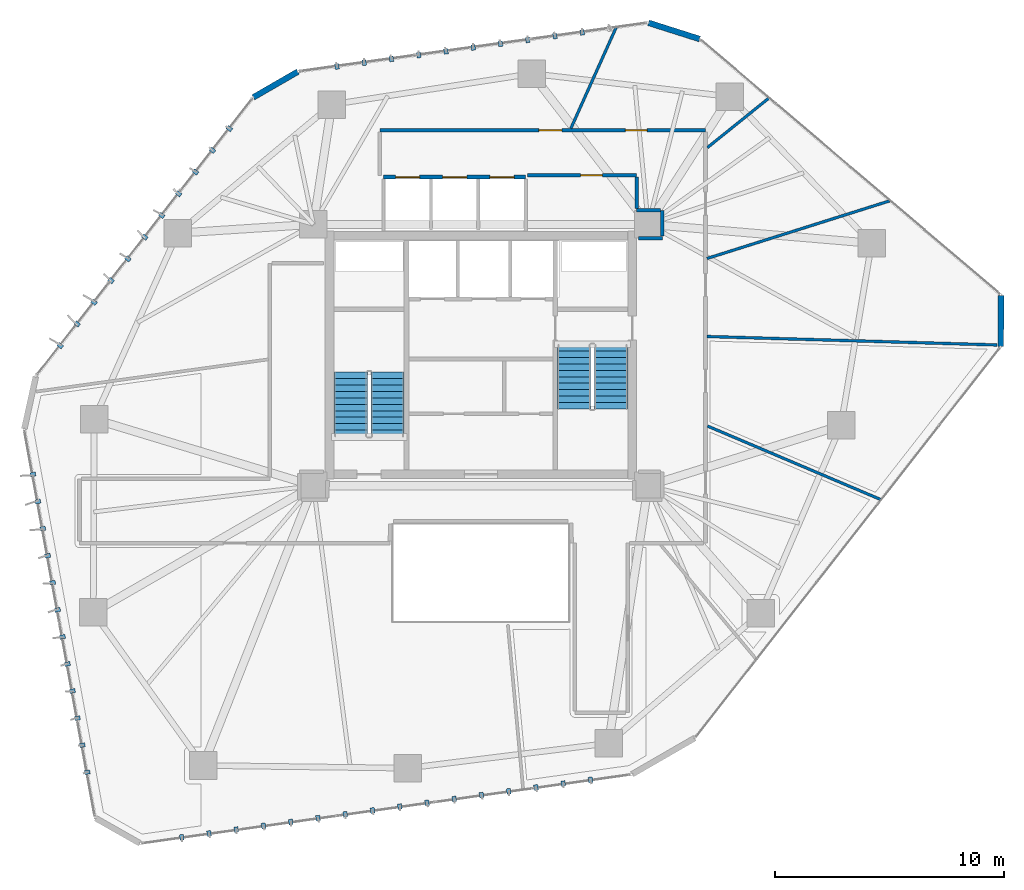
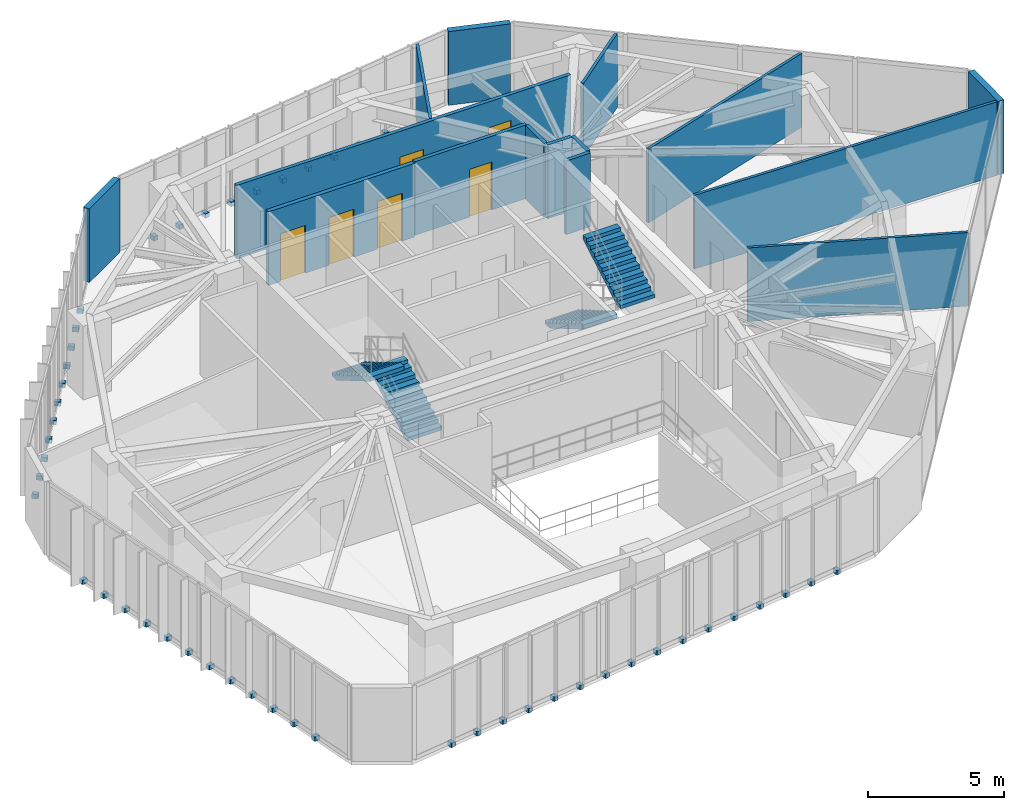
# One storey, part 20 of 24: 49 discrete accessories, 15 walls, 6 doors, 4 stair flights, 6 openings, 2 elements without a shape of their own.
"""IFC4 building model written with IfcOpenShell, lengths in metres."""

from ifc_helpers import new_model, si_unit, direction, frame, frame_2d, origin, origin_2d, place, context, subcontext, project, spatial, polyline, rectangle, outline, extrude, source, transform, mapped, material, layer, layer_set, type_object, type_shapes, element, fill, aggregate, save


model = new_model("IFC4")

# Units and contexts
model_context = context("Model", 3, precision=1e-05, world=origin(), true_north=direction((0.0, 1.0)))
body_context = subcontext(model_context, "Body", "Model", "MODEL_VIEW")
ifc_project = project(units=[si_unit("LENGTHUNIT", "METRE"), si_unit("AREAUNIT", "SQUARE_METRE"), si_unit("VOLUMEUNIT", "CUBIC_METRE"), si_unit("PLANEANGLEUNIT", "RADIAN"), si_unit("MASSUNIT", "GRAM", prefix="KILO")], contexts=[model_context])

# Site, building, storey
site_placement = place(None, origin())
site = spatial("IfcSite", under=ifc_project, at=site_placement, CompositionType="ELEMENT")
building_placement = place(site_placement, origin())
building = spatial("IfcBuilding", under=site, at=building_placement, Name="Talar Marvaseh", CompositionType="ELEMENT")
storey_placement = place(building_placement, frame((0.0, 0.0, 114.60009765625)))
storey = spatial("IfcBuildingStorey", under=building, at=storey_placement, Name="L29", CompositionType="ELEMENT", Elevation=114.60009765625)

# Walls
ifc_material_1 = material(Name="Precast concrete C45/55", Category="concrete")
ifc_layer_1 = layer(ifc_material_1, 0.2548828125)
ifc_layer_set_1 = layer_set([ifc_layer_1], Name="Precast concrete C45/55")
wall_type_1 = type_object("IfcWallType", Name="Chamfered Hexagonal Corner Pier Wall Z2 255", PredefinedType="SOLIDWALL", material=ifc_layer_set_1)
wall_1_placement = place(storey_placement, frame((16.079345703125, 42.438232421875, 0.0), z_axis=(0.0, 0.0, 1.0), x_axis=(0.865999040528, 0.50004565972, 0.0)))
element("IfcWall", 1, at=wall_1_placement, inside=storey, type_object=wall_type_1, Name="L29 Chamfered Corner Limestone Pier 3", PredefinedType="SOLIDWALL", context=body_context, shape_type="SweptSolid", body=[
    extrude(rectangle(XDim=2.244873046875, YDim=0.2548828125, at=frame_2d((1.12255859375, 0.0))), origin(), (0.0, 0.0, 1.0), 3.309814453125),
])
wall_2_placement = place(storey_placement, frame((33.314697265625, 45.689697265625, 0.0), z_axis=(0.0, 0.0, 1.0), x_axis=(0.953053095255, -0.302803232519, 0.0)))
element("IfcWall", 2, at=wall_2_placement, inside=storey, type_object=wall_type_1, Name="L29 Chamfered Corner Limestone Pier 4", PredefinedType="SOLIDWALL", context=body_context, shape_type="SweptSolid", body=[
    extrude(rectangle(XDim=2.340576171875, YDim=0.2548828125, at=frame_2d((1.17041015625, 0.0))), origin(), (0.0, 0.0, 1.0), 3.309814453125),
])
wall_3_placement = place(storey_placement, frame((48.689697265625, 33.79345703125, 0.0), z_axis=(0.0, 0.0, 1.0), x_axis=(-0.007379466426, -0.999972771367, 0.0)))
element("IfcWall", 3, at=wall_3_placement, inside=storey, type_object=wall_type_1, Name="L29 Chamfered Corner Limestone Pier 5", PredefinedType="SOLIDWALL", context=body_context, shape_type="SweptSolid", body=[
    extrude(rectangle(XDim=2.216552734375, YDim=0.2548828125, at=frame_2d((1.1083984375, 0.0))), origin(), (0.0, 0.0, 1.0), 3.309814453125),
])

# Wall, opening, door
ifc_material_2 = material(Name="Gypsum Board Partition Assembly")
ifc_layer_2 = layer(ifc_material_2, 0.155029296875)
ifc_layer_set_2 = layer_set([ifc_layer_2], Name="Gypsum Board Partition Assembly")
wall_type_2 = type_object("IfcWallType", Name="Corridor Fire-Rated Acoustic Partition 155", PredefinedType="PARTITIONING", material=ifc_layer_set_2)
wall_4_placement = place(storey_placement, frame((32.800048828125, 39.0400390625, 0.0), z_axis=(0.0, 0.0, 1.0), x_axis=(-1.0, 0.0, 0.0)))
wall_4 = element("IfcWall", 4, at=wall_4_placement, inside=storey, type_object=wall_type_2, Name="L29 Interior Partition Wall", PredefinedType="PARTITIONING", context=body_context, shape_type="SweptSolid", body=[
    extrude(rectangle(XDim=4.77001953125, YDim=0.155029296875, at=frame_2d((2.385009765625, 0.0))), origin(), (0.0, 0.0, 1.0), 3.309814453125),
])
opening_1_placement = place(wall_4_placement, frame((1.494873046875, 0.0, 0.0)))
opening_1 = element("IfcOpeningElement", 5, at=opening_1_placement, cuts=wall_4, Name="Opening DR-WC095", PredefinedType="OPENING", context=body_context, shape_type="SweptSolid", body=[
    extrude(rectangle(XDim=0.949951171875, YDim=2.14990234375, at=frame_2d((0.47509765625, 1.074951171875))), frame((0.0, 0.08740234375, 0.0), z_axis=(0.0, -1.0, 0.0), x_axis=(1.0, 0.0, 0.0)), (0.0, 0.0, 1.0), 0.175048828125),
])
ifc_material_3 = material(Name="Acoustic Engineered Oak Timber", Category="wood")
door_type_1 = type_object("IfcDoorType", Name="Washroom and Service Room Door 950x2150", OperationType="NOTDEFINED", PredefinedType="DOOR", material=ifc_material_3)
shared_shape_1 = source(origin(), body_context, "Body", "SweptSolid", [
    extrude(rectangle(XDim=0.949951171875, YDim=2.14990234375, at=frame_2d((0.47509765625, 1.074951171875))), frame((0.0, 0.02490234375, 0.0), z_axis=(0.0, -1.0, 0.0), x_axis=(1.0, 0.0, 0.0)), (0.0, 0.0, 1.0), 0.050048828125),
])
type_shapes(door_type_1, [shared_shape_1])
door_1_placement = place(opening_1_placement, origin())
door_1 = element("IfcDoor", 6, at=door_1_placement, inside=storey, type_object=door_type_1, Name="L29 WC Public Washrooms Door", OperationType="SINGLE_SWING_LEFT", OverallHeight=2.14990234375, OverallWidth=0.949951171875, PredefinedType="DOOR", context=body_context, shape_type="MappedRepresentation", body=[
    mapped(shared_shape_1, transform((0.0, 0.0, 0.0), x_axis=(1.0, 0.0, 0.0), y_axis=(0.0, 1.0, 0.0), z_axis=(0.0, 0.0, 1.0), scale=1.0)),
])
fill(opening_1, door_1)

# Wall, openings, doors
wall_5_placement = place(storey_placement, frame((21.60009765625, 41.0, 0.0), z_axis=(0.0, 0.0, 1.0), x_axis=(1.0, 0.0, 0.0)))
wall_5 = element("IfcWall", 7, at=wall_5_placement, inside=storey, type_object=wall_type_2, Name="L29 Interior Partition Wall", PredefinedType="PARTITIONING", context=body_context, shape_type="SweptSolid", body=[
    extrude(rectangle(XDim=14.199951171875, YDim=0.155029296875, at=frame_2d((7.10009765625, 0.0))), origin(), (0.0, 0.0, 1.0), 3.309814453125),
])
opening_2_placement = place(wall_5_placement, frame((10.7001953125, 0.0, 0.0)))
opening_2 = element("IfcOpeningElement", 8, at=opening_2_placement, cuts=wall_5, Name="Opening DR-WC095", PredefinedType="OPENING", context=body_context, shape_type="SweptSolid", body=[
    extrude(rectangle(XDim=0.949951171875, YDim=2.14990234375, at=frame_2d((0.47509765625, 1.074951171875))), frame((0.0, 0.08740234375, 0.0), z_axis=(0.0, -1.0, 0.0), x_axis=(1.0, 0.0, 0.0)), (0.0, 0.0, 1.0), 0.175048828125),
])
opening_3_placement = place(wall_5_placement, frame((6.930419921875, 0.0, 0.0)))
opening_3 = element("IfcOpeningElement", 9, at=opening_3_placement, cuts=wall_5, Name="Opening DR-RM100", PredefinedType="OPENING", context=body_context, shape_type="SweptSolid", body=[
    extrude(rectangle(XDim=1.0, YDim=2.14990234375, at=frame_2d((0.5, 1.074951171875))), frame((0.0, 0.08740234375, 0.0), z_axis=(0.0, -1.0, 0.0), x_axis=(1.0, 0.0, 0.0)), (0.0, 0.0, 1.0), 0.175048828125),
])
door_2_placement = place(opening_2_placement, origin())
door_2 = element("IfcDoor", 10, at=door_2_placement, inside=storey, type_object=door_type_1, Name="L29 Accessible WC Door", OperationType="SINGLE_SWING_RIGHT", OverallHeight=2.14990234375, OverallWidth=0.949951171875, PredefinedType="DOOR", context=body_context, shape_type="MappedRepresentation", body=[
    mapped(shared_shape_1, transform((0.0, 0.0, 0.0), x_axis=(1.0, 0.0, 0.0), y_axis=(0.0, 1.0, 0.0), z_axis=(0.0, 0.0, 1.0), scale=1.0)),
])
fill(opening_2, door_2)
door_type_2 = type_object("IfcDoorType", Name="Corridor Fire-Rated Gallery Door 1000x2150", OperationType="NOTDEFINED", PredefinedType="DOOR", material=ifc_material_3)
shared_shape_2 = source(origin(), body_context, "Body", "SweptSolid", [
    extrude(rectangle(XDim=1.0, YDim=2.14990234375, at=frame_2d((0.5, 1.074951171875))), frame((0.0, 0.02490234375, 0.0), z_axis=(0.0, -1.0, 0.0), x_axis=(1.0, 0.0, 0.0)), (0.0, 0.0, 1.0), 0.050048828125),
])
type_shapes(door_type_2, [shared_shape_2])
door_3_placement = place(opening_3_placement, origin())
door_3 = element("IfcDoor", 11, at=door_3_placement, inside=storey, type_object=door_type_2, Name="L29 Conservation Laboratory Door", OperationType="SINGLE_SWING_RIGHT", OverallHeight=2.14990234375, OverallWidth=1.0, PredefinedType="DOOR", context=body_context, shape_type="MappedRepresentation", body=[
    mapped(shared_shape_2, transform((0.0, 0.0, 0.0), x_axis=(1.0, 0.0, 0.0), y_axis=(0.0, 1.0, 0.0), z_axis=(0.0, 0.0, 1.0), scale=1.0)),
])
fill(opening_3, door_3)

# Walls
wall_6_placement = place(storey_placement, frame((32.8701171875, 36.284912109375, 0.0), z_axis=(0.0, 0.0, 1.0), x_axis=(0.999895094683, 0.014484461652, 0.0)))
element("IfcWall", 12, at=wall_6_placement, inside=storey, type_object=wall_type_2, Name="L29 Interior Partition Wall", PredefinedType="PARTITIONING", context=body_context, shape_type="SweptSolid", body=[
    extrude(rectangle(XDim=1.044921875, YDim=0.155029296875, at=frame_2d((0.5224609375, 0.0))), origin(), (0.0, 0.0, 1.0), 3.309814453125),
])
wall_7_placement = place(storey_placement, frame((33.914794921875, 36.383544921875, 0.0), z_axis=(0.0, 0.0, 1.0), x_axis=(-0.003682817312, 0.999993218405, 0.0)))
element("IfcWall", 13, at=wall_7_placement, inside=storey, type_object=wall_type_2, Name="L29 Interior Partition Wall", PredefinedType="PARTITIONING", context=body_context, shape_type="SweptSolid", body=[
    extrude(rectangle(XDim=1.126953125, YDim=0.155029296875, at=frame_2d((0.5634765625, 0.0))), origin(), (0.0, 0.0, 1.0), 3.309814453125),
])
wall_8_placement = place(storey_placement, frame((33.8271484375, 37.510986328125, 0.0), z_axis=(0.0, 0.0, 1.0), x_axis=(-0.99999276797, 0.003803157663, 0.0)))
element("IfcWall", 14, at=wall_8_placement, inside=storey, type_object=wall_type_2, Name="L29 Interior Partition Wall", PredefinedType="PARTITIONING", context=body_context, shape_type="SweptSolid", body=[
    extrude(rectangle(XDim=1.027099609375, YDim=0.155029296875, at=frame_2d((0.513671875, 0.0))), origin(), (0.0, 0.0, 1.0), 3.309814453125),
])
wall_9_placement = place(storey_placement, frame((32.800048828125, 37.598388671875, 0.0), z_axis=(0.0, 0.0, 1.0), x_axis=(0.0, 1.0, 0.0)))
element("IfcWall", 15, at=wall_9_placement, inside=storey, type_object=wall_type_2, Name="L29 Interior Partition Wall", PredefinedType="PARTITIONING", context=body_context, shape_type="SweptSolid", body=[
    extrude(rectangle(XDim=1.358154296875, YDim=0.155029296875, at=frame_2d((0.67919921875, 0.0))), origin(), (0.0, 0.0, 1.0), 3.309814453125),
])
ifc_layer_3 = layer(ifc_material_2, 0.1201171875)
ifc_layer_set_3 = layer_set([ifc_layer_3], Name="Gypsum Board Partition Assembly")
wall_type_3 = type_object("IfcWallType", Name="Demountable Studio Room Partition 120", PredefinedType="PARTITIONING", material=ifc_layer_set_3)
wall_10_placement = place(storey_placement, frame((35.883544921875, 28.1044921875, 0.0), z_axis=(0.0, 0.0, 1.0), x_axis=(0.920539322302, -0.390649915009, 0.0)))
element("IfcWall", 16, at=wall_10_placement, inside=storey, type_object=wall_type_3, Name="L29 Interior Partition Wall", PredefinedType="PARTITIONING", context=body_context, shape_type="SweptSolid", body=[
    extrude(rectangle(XDim=8.20751953125, YDim=0.1201171875, at=frame_2d((4.103759765625, 0.0))), origin(), (0.0, 0.0, 1.0), 3.309814453125),
])
wall_11_placement = place(storey_placement, frame((35.864990234375, 32.008056640625, 0.0), z_axis=(0.0, 0.0, 1.0), x_axis=(0.999574251216, -0.029177325196, 0.0)))
element("IfcWall", 17, at=wall_11_placement, inside=storey, type_object=wall_type_3, Name="L29 Interior Partition Wall", PredefinedType="PARTITIONING", context=body_context, shape_type="SweptSolid", body=[
    extrude(rectangle(XDim=12.651611328125, YDim=0.1201171875, at=frame_2d((6.32568359375, 0.0))), origin(), (0.0, 0.0, 1.0), 3.309814453125),
])
wall_12_placement = place(storey_placement, frame((35.862060546875, 35.40966796875, 0.0), z_axis=(0.0, 0.0, 1.0), x_axis=(0.953676254543, 0.300834840936, 0.0)))
element("IfcWall", 18, at=wall_12_placement, inside=storey, type_object=wall_type_3, Name="L29 Interior Partition Wall", PredefinedType="PARTITIONING", context=body_context, shape_type="SweptSolid", body=[
    extrude(rectangle(XDim=8.35400390625, YDim=0.1201171875, at=frame_2d((4.177001953125, 0.0))), origin(), (0.0, 0.0, 1.0), 3.309814453125),
])
wall_13_placement = place(storey_placement, frame((35.883544921875, 40.247314453125, 0.0), z_axis=(0.0, 0.0, 1.0), x_axis=(0.778843741097, 0.627218005923, 0.0)))
element("IfcWall", 19, at=wall_13_placement, inside=storey, type_object=wall_type_3, Name="L29 Interior Partition Wall", PredefinedType="PARTITIONING", context=body_context, shape_type="SweptSolid", body=[
    extrude(rectangle(XDim=3.4296875, YDim=0.1201171875, at=frame_2d((1.71484375, 0.0))), origin(), (0.0, 0.0, 1.0), 3.309814453125),
])
wall_14_placement = place(storey_placement, frame((29.927490234375, 41.08349609375, 0.0), z_axis=(0.0, 0.0, 1.0), x_axis=(0.409301910208, 0.912399006082, 0.0)))
element("IfcWall", 20, at=wall_14_placement, inside=storey, type_object=wall_type_3, Name="L29 Interior Partition Wall", PredefinedType="PARTITIONING", context=body_context, shape_type="SweptSolid", body=[
    extrude(rectangle(XDim=4.8154296875, YDim=0.1201171875, at=frame_2d((2.40771484375, 0.0))), origin(), (0.0, 0.0, 1.0), 3.309814453125),
])

# Wall, openings, doors
ifc_layer_4 = layer(ifc_material_1, 0.175048828125)
ifc_layer_set_4 = layer_set([ifc_layer_4], Name="Precast concrete C45/55")
wall_type_4 = type_object("IfcWallType", Name="Fire-Rated Lift Hoistway Enclosure Wall 175", PredefinedType="SOLIDWALL", material=ifc_layer_set_4)
wall_15_placement = place(storey_placement, frame((21.760009765625, 38.9599609375, 0.0), z_axis=(0.0, 0.0, 1.0), x_axis=(1.0, 0.0, 0.0)))
wall_15 = element("IfcWall", 21, at=wall_15_placement, inside=storey, type_object=wall_type_4, Name="L29 Low-Rise Lift Bank Front Wall", PredefinedType="SOLIDWALL", context=body_context, shape_type="SweptSolid", body=[
    extrude(rectangle(XDim=6.199951171875, YDim=0.175048828125, at=frame_2d((3.10009765625, 0.0))), origin(), (0.0, 0.0, 1.0), 3.309814453125),
])
opening_4_placement = place(wall_15_placement, frame((0.52001953125, 0.0, 0.0)))
opening_4 = element("IfcOpeningElement", 22, at=opening_4_placement, cuts=wall_15, Name="Opening LD-PLL1", PredefinedType="OPENING", context=body_context, shape_type="SweptSolid", body=[
    extrude(rectangle(XDim=1.050048828125, YDim=2.14990234375, at=frame_2d((0.52490234375, 1.074951171875))), frame((0.0, 0.09765625, 0.0), z_axis=(0.0, -1.0, 0.0), x_axis=(1.0, 0.0, 0.0)), (0.0, 0.0, 1.0), 0.195068359375),
])
opening_5_placement = place(wall_15_placement, frame((2.580078125, 0.0, 0.0)))
opening_5 = element("IfcOpeningElement", 23, at=opening_5_placement, cuts=wall_15, Name="Opening LD-PLL2", PredefinedType="OPENING", context=body_context, shape_type="SweptSolid", body=[
    extrude(rectangle(XDim=1.050048828125, YDim=2.14990234375, at=frame_2d((0.52490234375, 1.074951171875))), frame((0.0, 0.09765625, 0.0), z_axis=(0.0, -1.0, 0.0), x_axis=(1.0, 0.0, 0.0)), (0.0, 0.0, 1.0), 0.195068359375),
])
opening_6_placement = place(wall_15_placement, frame((4.639892578125, 0.0, 0.0)))
opening_6 = element("IfcOpeningElement", 24, at=opening_6_placement, cuts=wall_15, Name="Opening LD-PLL3", PredefinedType="OPENING", context=body_context, shape_type="SweptSolid", body=[
    extrude(rectangle(XDim=1.050048828125, YDim=2.14990234375, at=frame_2d((0.52490234375, 1.074951171875))), frame((0.0, 0.09765625, 0.0), z_axis=(0.0, -1.0, 0.0), x_axis=(1.0, 0.0, 0.0)), (0.0, 0.0, 1.0), 0.195068359375),
])
ifc_material_4 = material(Name="Stainless Steel Grade 316", Category="steel")
door_type_3 = type_object("IfcDoorType", Name="Automatic Sliding Lift Landing Door 1050x2150", OperationType="NOTDEFINED", PredefinedType="DOOR", material=ifc_material_4)
shared_shape_3 = source(origin(), body_context, "Body", "SweptSolid", [
    extrude(rectangle(XDim=1.050048828125, YDim=2.14990234375, at=frame_2d((0.52490234375, 1.074951171875))), frame((0.0, 0.02490234375, 0.0), z_axis=(0.0, -1.0, 0.0), x_axis=(1.0, 0.0, 0.0)), (0.0, 0.0, 1.0), 0.050048828125),
])
type_shapes(door_type_3, [shared_shape_3])
door_4_placement = place(opening_4_placement, origin())
door_4 = element("IfcDoor", 25, at=door_4_placement, inside=storey, type_object=door_type_3, Name="L29 Lift PL-L1 Sliding Landing Door", OperationType="SLIDING_TO_LEFT", OverallHeight=2.14990234375, OverallWidth=1.050048828125, PredefinedType="DOOR", context=body_context, shape_type="MappedRepresentation", body=[
    mapped(shared_shape_3, transform((0.0, 0.0, 0.0), x_axis=(1.0, 0.0, 0.0), y_axis=(0.0, 1.0, 0.0), z_axis=(0.0, 0.0, 1.0), scale=1.0)),
])
fill(opening_4, door_4)
door_5_placement = place(opening_5_placement, origin())
door_5 = element("IfcDoor", 26, at=door_5_placement, inside=storey, type_object=door_type_3, Name="L29 Lift PL-L2 Sliding Landing Door", OperationType="SLIDING_TO_LEFT", OverallHeight=2.14990234375, OverallWidth=1.050048828125, PredefinedType="DOOR", context=body_context, shape_type="MappedRepresentation", body=[
    mapped(shared_shape_3, transform((0.0, 0.0, 0.0), x_axis=(1.0, 0.0, 0.0), y_axis=(0.0, 1.0, 0.0), z_axis=(0.0, 0.0, 1.0), scale=1.0)),
])
fill(opening_5, door_5)
door_6_placement = place(opening_6_placement, origin())
door_6 = element("IfcDoor", 27, at=door_6_placement, inside=storey, type_object=door_type_3, Name="L29 Lift PL-L3 Sliding Landing Door", OperationType="SLIDING_TO_LEFT", OverallHeight=2.14990234375, OverallWidth=1.050048828125, PredefinedType="DOOR", context=body_context, shape_type="MappedRepresentation", body=[
    mapped(shared_shape_3, transform((0.0, 0.0, 0.0), x_axis=(1.0, 0.0, 0.0), y_axis=(0.0, 1.0, 0.0), z_axis=(0.0, 0.0, 1.0), scale=1.0)),
])
fill(opening_6, door_6)

# Stair, stair flights
ifc_material_5 = material(Name="Concrete C40/50", Category="concrete")
stair_type = type_object("IfcStairType", Name="Reinforced Concrete Half-Turn Exit Stair Type B", PredefinedType="HALF_TURN_STAIR", material=ifc_material_5)
stair_1_placement = place(storey_placement, origin())
stair_1 = element("IfcStair", 28, at=stair_1_placement, inside=storey, type_object=stair_type, Name="L29 Tower West Core Exit Stair", PredefinedType="HALF_TURN_STAIR")
ifc_layer_5 = layer(ifc_material_5, 0.159912109375)
ifc_layer_set_5 = layer_set([ifc_layer_5], Name="Concrete C40/50")
stair_flight_type = type_object("IfcStairFlightType", Name="Reinforced Concrete Straight Stair Flight 160", PredefinedType="STRAIGHT", material=ifc_layer_set_5)
stair_flight_1_placement = place(storey_placement, frame((21.93505859375, 27.64990234375, 0.0), z_axis=(0.0, 0.0, 1.0), x_axis=(0.0, 1.0, 0.0)))
stair_flight_1 = element("IfcStairFlight", 29, at=stair_flight_1_placement, type_object=stair_flight_type, Name="ST-1 flight 1", NumberOfRisers=11, NumberOfTreads=10, PredefinedType="STRAIGHT", RiserHeight=0.163636364, TreadLength=0.28, context=body_context, shape_type="SweptSolid", body=[
    extrude(outline(polyline([(0.0, 0.0), (0.0, 0.16357421875), (0.280029296875, 0.16357421875), (0.280029296875, 0.327392578125), (0.56005859375, 0.327392578125), (0.56005859375, 0.490966796875), (0.840087890625, 0.490966796875), (0.840087890625, 0.654541015625), (1.1201171875, 0.654541015625), (1.1201171875, 0.818115234375), (1.39990234375, 0.818115234375), (1.39990234375, 0.98193359375), (1.679931640625, 0.98193359375), (1.679931640625, 1.1455078125), (1.9599609375, 1.1455078125), (1.9599609375, 1.30908203125), (2.239990234375, 1.30908203125), (2.239990234375, 1.47265625), (2.52001953125, 1.47265625), (2.52001953125, 1.636474609375), (2.800048828125, 1.636474609375), (2.800048828125, 1.800048828125), (2.800048828125, 1.451171875), (0.31689453125, 0.0), (0.0, 0.0)])), frame((0.0, 0.72509765625, 0.0), z_axis=(0.0, -1.0, 0.0), x_axis=(1.0, 0.0, 0.0)), (0.0, 0.0, 1.0), 1.449951171875),
])
stair_flight_2_placement = place(storey_placement, frame((20.324951171875, 30.449951171875, 1.7998046875), z_axis=(0.0, 0.0, 1.0), x_axis=(0.0, -1.0, 0.0)))
stair_flight_2 = element("IfcStairFlight", 30, at=stair_flight_2_placement, type_object=stair_flight_type, Name="ST-1 flight 2", NumberOfRisers=11, NumberOfTreads=10, PredefinedType="STRAIGHT", RiserHeight=0.163636364, TreadLength=0.28, context=body_context, shape_type="SweptSolid", body=[
    extrude(outline(polyline([(0.0, 0.0), (0.0, 0.16357421875), (0.280029296875, 0.16357421875), (0.280029296875, 0.327392578125), (0.56005859375, 0.327392578125), (0.56005859375, 0.490966796875), (0.840087890625, 0.490966796875), (0.840087890625, 0.654541015625), (1.1201171875, 0.654541015625), (1.1201171875, 0.818115234375), (1.39990234375, 0.818115234375), (1.39990234375, 0.98193359375), (1.679931640625, 0.98193359375), (1.679931640625, 1.1455078125), (1.9599609375, 1.1455078125), (1.9599609375, 1.30908203125), (2.239990234375, 1.30908203125), (2.239990234375, 1.47265625), (2.52001953125, 1.47265625), (2.52001953125, 1.636474609375), (2.800048828125, 1.636474609375), (2.800048828125, 1.800048828125), (2.800048828125, 1.451171875), (0.31689453125, 0.0), (0.0, 0.0)])), frame((0.0, 0.72509765625, 0.0), z_axis=(0.0, -1.0, 0.0), x_axis=(1.0, 0.0, 0.0)), (0.0, 0.0, 1.0), 1.449951171875),
])
aggregate(stair_1, [stair_flight_1, stair_flight_2])

stair_2_placement = place(storey_placement, origin())
stair_2 = element("IfcStair", 31, at=stair_2_placement, inside=storey, type_object=stair_type, Name="L29 Tower East Core Exit Stair", PredefinedType="HALF_TURN_STAIR")
stair_flight_3_placement = place(storey_placement, frame((30.06494140625, 31.64990234375, 0.0), z_axis=(0.0, 0.0, 1.0), x_axis=(0.0, -1.0, 0.0)))
stair_flight_3 = element("IfcStairFlight", 32, at=stair_flight_3_placement, type_object=stair_flight_type, Name="ST-2 flight 1", NumberOfRisers=11, NumberOfTreads=10, PredefinedType="STRAIGHT", RiserHeight=0.163636364, TreadLength=0.28, context=body_context, shape_type="SweptSolid", body=[
    extrude(outline(polyline([(0.0, 0.0), (0.0, 0.16357421875), (0.280029296875, 0.16357421875), (0.280029296875, 0.327392578125), (0.56005859375, 0.327392578125), (0.56005859375, 0.490966796875), (0.840087890625, 0.490966796875), (0.840087890625, 0.654541015625), (1.1201171875, 0.654541015625), (1.1201171875, 0.818115234375), (1.39990234375, 0.818115234375), (1.39990234375, 0.98193359375), (1.679931640625, 0.98193359375), (1.679931640625, 1.1455078125), (1.9599609375, 1.1455078125), (1.9599609375, 1.30908203125), (2.239990234375, 1.30908203125), (2.239990234375, 1.47265625), (2.52001953125, 1.47265625), (2.52001953125, 1.636474609375), (2.800048828125, 1.636474609375), (2.800048828125, 1.800048828125), (2.800048828125, 1.451171875), (0.31689453125, 0.0), (0.0, 0.0)])), frame((0.0, 0.72509765625, 0.0), z_axis=(0.0, -1.0, 0.0), x_axis=(1.0, 0.0, 0.0)), (0.0, 0.0, 1.0), 1.449951171875),
])
stair_flight_4_placement = place(storey_placement, frame((31.675048828125, 28.85009765625, 1.7998046875), z_axis=(0.0, 0.0, 1.0), x_axis=(0.0, 1.0, 0.0)))
stair_flight_4 = element("IfcStairFlight", 33, at=stair_flight_4_placement, type_object=stair_flight_type, Name="ST-2 flight 2", NumberOfRisers=11, NumberOfTreads=10, PredefinedType="STRAIGHT", RiserHeight=0.163636364, TreadLength=0.28, context=body_context, shape_type="SweptSolid", body=[
    extrude(outline(polyline([(0.0, 0.0), (0.0, 0.16357421875), (0.280029296875, 0.16357421875), (0.280029296875, 0.327392578125), (0.56005859375, 0.327392578125), (0.56005859375, 0.490966796875), (0.840087890625, 0.490966796875), (0.840087890625, 0.654541015625), (1.1201171875, 0.654541015625), (1.1201171875, 0.818115234375), (1.39990234375, 0.818115234375), (1.39990234375, 0.98193359375), (1.679931640625, 0.98193359375), (1.679931640625, 1.1455078125), (1.9599609375, 1.1455078125), (1.9599609375, 1.30908203125), (2.239990234375, 1.30908203125), (2.239990234375, 1.47265625), (2.52001953125, 1.47265625), (2.52001953125, 1.636474609375), (2.800048828125, 1.636474609375), (2.800048828125, 1.800048828125), (2.800048828125, 1.451171875), (0.31689453125, 0.0), (0.0, 0.0)])), frame((0.0, 0.72509765625, 0.0), z_axis=(0.0, -1.0, 0.0), x_axis=(1.0, 0.0, 0.0)), (0.0, 0.0, 1.0), 1.449951171875),
])
aggregate(stair_2, [stair_flight_3, stair_flight_4])

# Discrete accessories
discrete_accessory_type = type_object("IfcDiscreteAccessoryType", Name="Stainless Slab-Edge Fin Mounting Bracket", PredefinedType="BRACKET", material=ifc_material_4)
shared_shape_4 = source(origin(), body_context, "Body", "SweptSolid", [
    extrude(rectangle(XDim=0.239990234375, YDim=0.179931640625, at=origin_2d()), origin(), (0.0, 0.0, 1.0), 0.199951171875),
])
type_shapes(discrete_accessory_type, [shared_shape_4])
for number, where, z_axis, x_axis, name in (
    (34, (8.836669921875, 13.005126953125, -0.18017578125), (0.0, 0.0, 1.0), (-0.98372862895, -0.179660748593, 0.0), "L29 Vertical Fin Slab-Edge Bracket"),
    (35, (8.62109375, 14.185546875, -0.18017578125), (0.0, 0.0, 1.0), (-0.98372862895, -0.179660748593, 0.0), "L29 Vertical Fin Slab-Edge Bracket"),
    (36, (8.405517578125, 15.3662109375, -0.18017578125), (0.0, 0.0, 1.0), (-0.98372862895, -0.179660748593, 0.0), "L29 Vertical Fin Slab-Edge Bracket"),
    (37, (8.190185546875, 16.546630859375, -0.18017578125), (0.0, 0.0, 1.0), (-0.98372862895, -0.179660748593, 0.0), "L29 Vertical Fin Slab-Edge Bracket"),
    (38, (7.974609375, 17.72705078125, -0.18017578125), (0.0, 0.0, 1.0), (-0.98372862895, -0.179660748593, 0.0), "L29 Vertical Fin Slab-Edge Bracket"),
    (39, (7.759033203125, 18.90771484375, -0.18017578125), (0.0, 0.0, 1.0), (-0.98372862895, -0.179660748593, 0.0), "L29 Vertical Fin Slab-Edge Bracket"),
    (40, (7.54345703125, 20.088134765625, -0.18017578125), (0.0, 0.0, 1.0), (-0.98372862895, -0.179660748593, 0.0), "L29 Vertical Fin Slab-Edge Bracket"),
    (41, (7.327880859375, 21.2685546875, -0.18017578125), (0.0, 0.0, 1.0), (-0.98372862895, -0.179660748593, 0.0), "L29 Vertical Fin Slab-Edge Bracket"),
    (42, (7.112548828125, 22.448974609375, -0.18017578125), (0.0, 0.0, 1.0), (-0.98372862895, -0.179660748593, 0.0), "L29 Vertical Fin Slab-Edge Bracket"),
    (43, (6.89697265625, 23.62939453125, -0.18017578125), (0.0, 0.0, 1.0), (-0.98372862895, -0.179660748593, 0.0), "L29 Vertical Fin Slab-Edge Bracket"),
    (44, (6.681396484375, 24.81005859375, -0.18017578125), (0.0, 0.0, 1.0), (-0.98372862895, -0.179660748593, 0.0), "L29 Vertical Fin Slab-Edge Bracket"),
    (45, (6.466064453125, 25.990478515625, -0.18017578125), (0.0, 0.0, 1.0), (-0.98372862895, -0.179660748593, 0.0), "L29 Vertical Fin Slab-Edge Bracket"),
    (46, (7.658935546875, 31.60888671875, -0.18017578125), (0.0, 0.0, 1.0), (-0.788762337705, 0.614698279336, 0.0), "L29 Vertical Fin Slab-Edge Bracket"),
    (47, (8.396484375, 32.555419921875, -0.18017578125), (0.0, 0.0, 1.0), (-0.788762337705, 0.614698279336, 0.0), "L29 Vertical Fin Slab-Edge Bracket"),
    (48, (9.13427734375, 33.501953125, -0.18017578125), (0.0, 0.0, 1.0), (-0.788762337705, 0.614698279336, 0.0), "L29 Vertical Fin Slab-Edge Bracket"),
    (49, (9.8720703125, 34.448486328125, -0.18017578125), (0.0, 0.0, 1.0), (-0.788762337705, 0.614698279336, 0.0), "L29 Vertical Fin Slab-Edge Bracket"),
    (50, (10.609619140625, 35.39501953125, -0.18017578125), (0.0, 0.0, 1.0), (-0.788762337705, 0.614698279336, 0.0), "L29 Vertical Fin Slab-Edge Bracket"),
    (51, (11.347412109375, 36.34130859375, -0.18017578125), (0.0, 0.0, 1.0), (-0.788762337705, 0.614698279336, 0.0), "L29 Vertical Fin Slab-Edge Bracket"),
    (52, (12.0849609375, 37.287841796875, -0.18017578125), (0.0, 0.0, 1.0), (-0.788762337705, 0.614698279336, 0.0), "L29 Vertical Fin Slab-Edge Bracket"),
    (53, (12.82275390625, 38.234375, -0.18017578125), (0.0, 0.0, 1.0), (-0.788762337705, 0.614698279336, 0.0), "L29 Vertical Fin Slab-Edge Bracket"),
    (54, (13.560302734375, 39.180908203125, -0.18017578125), (0.0, 0.0, 1.0), (-0.788762337705, 0.614698279336, 0.0), "L29 Vertical Fin Slab-Edge Bracket"),
    (55, (14.298095703125, 40.127197265625, -0.18017578125), (0.0, 0.0, 1.0), (-0.788762337705, 0.614698279336, 0.0), "L29 Vertical Fin Slab-Edge Bracket"),
    (56, (15.03564453125, 41.07373046875, -0.18017578125), (0.0, 0.0, 1.0), (-0.788762337705, 0.614698279336, 0.0), "L29 Vertical Fin Slab-Edge Bracket"),
    (57, (19.726806640625, 43.7822265625, -0.18017578125), (0.0, 0.0, 1.0), (-0.137963156715, 0.990437361669, 0.0), "L29 Vertical Fin Slab-Edge Bracket"),
    (58, (20.915283203125, 43.947998046875, -0.18017578125), (0.0, 0.0, 1.0), (-0.137963156715, 0.990437361669, 0.0), "L29 Vertical Fin Slab-Edge Bracket"),
    (59, (22.10400390625, 44.113525390625, -0.18017578125), (0.0, 0.0, 1.0), (-0.137963156715, 0.990437361669, 0.0), "L29 Vertical Fin Slab-Edge Bracket"),
    (60, (23.29248046875, 44.279052734375, -0.18017578125), (0.0, 0.0, 1.0), (-0.137963156715, 0.990437361669, 0.0), "L29 Vertical Fin Slab-Edge Bracket"),
    (61, (24.48095703125, 44.444580078125, -0.18017578125), (0.0, 0.0, 1.0), (-0.137963156715, 0.990437361669, 0.0), "L29 Vertical Fin Slab-Edge Bracket"),
    (62, (25.66943359375, 44.6103515625, -0.18017578125), (0.0, 0.0, 1.0), (-0.137963156715, 0.990437361669, 0.0), "L29 Vertical Fin Slab-Edge Bracket"),
    (63, (26.85791015625, 44.77587890625, -0.18017578125), (0.0, 0.0, 1.0), (-0.137963156715, 0.990437361669, 0.0), "L29 Vertical Fin Slab-Edge Bracket"),
    (64, (28.04638671875, 44.94140625, -0.18017578125), (0.0, 0.0, 1.0), (-0.137963156715, 0.990437361669, 0.0), "L29 Vertical Fin Slab-Edge Bracket"),
    (65, (29.235107421875, 45.107177734375, -0.18017578125), (0.0, 0.0, 1.0), (-0.137963156715, 0.990437361669, 0.0), "L29 Vertical Fin Slab-Edge Bracket"),
    (66, (30.423583984375, 45.272705078125, -0.18017578125), (0.0, 0.0, 1.0), (-0.137963156715, 0.990437361669, 0.0), "L29 Vertical Fin Slab-Edge Bracket"),
    (67, (30.783447265625, 12.67529296875, -0.18017578125), (0.0, 0.0, 1.0), (0.139345933222, -0.990243763371, 0.0), "L29 Vertical Fin Slab-Edge Bracket"),
    (68, (29.59521484375, 12.508056640625, -0.18017578125), (0.0, 0.0, 1.0), (0.139345933222, -0.990243763371, 0.0), "L29 Vertical Fin Slab-Edge Bracket"),
    (69, (28.406982421875, 12.3408203125, -0.18017578125), (0.0, 0.0, 1.0), (0.139345933222, -0.990243763371, 0.0), "L29 Vertical Fin Slab-Edge Bracket"),
    (70, (27.218505859375, 12.173583984375, -0.18017578125), (0.0, 0.0, 1.0), (0.139345933222, -0.990243763371, 0.0), "L29 Vertical Fin Slab-Edge Bracket"),
    (71, (26.0302734375, 12.006591796875, -0.18017578125), (0.0, 0.0, 1.0), (0.139345933222, -0.990243763371, 0.0), "L29 Vertical Fin Slab-Edge Bracket"),
    (72, (24.842041015625, 11.83935546875, -0.18017578125), (0.0, 0.0, 1.0), (0.139345933222, -0.990243763371, 0.0), "L29 Vertical Fin Slab-Edge Bracket"),
    (73, (23.65380859375, 11.672119140625, -0.18017578125), (0.0, 0.0, 1.0), (0.139345933222, -0.990243763371, 0.0), "L29 Vertical Fin Slab-Edge Bracket"),
    (74, (22.46533203125, 11.5048828125, -0.18017578125), (0.0, 0.0, 1.0), (0.139345933222, -0.990243763371, 0.0), "L29 Vertical Fin Slab-Edge Bracket"),
    (75, (21.277099609375, 11.337646484375, -0.18017578125), (0.0, 0.0, 1.0), (0.139345933222, -0.990243763371, 0.0), "L29 Vertical Fin Slab-Edge Bracket"),
    (76, (20.0888671875, 11.170654296875, -0.18017578125), (0.0, 0.0, 1.0), (0.139345933222, -0.990243763371, 0.0), "L29 Vertical Fin Slab-Edge Bracket"),
    (77, (18.900390625, 11.00341796875, -0.18017578125), (0.0, 0.0, 1.0), (0.139345933222, -0.990243763371, 0.0), "L29 Vertical Fin Slab-Edge Bracket"),
    (78, (17.712158203125, 10.836181640625, -0.18017578125), (0.0, 0.0, 1.0), (0.139345933222, -0.990243763371, 0.0), "L29 Vertical Fin Slab-Edge Bracket"),
    (79, (16.52392578125, 10.6689453125, -0.18017578125), (0.0, 0.0, 1.0), (0.139345933222, -0.990243763371, 0.0), "L29 Vertical Fin Slab-Edge Bracket"),
    (80, (15.335693359375, 10.501708984375, -0.18017578125), (0.0, 0.0, 1.0), (0.139345933222, -0.990243763371, 0.0), "L29 Vertical Fin Slab-Edge Bracket"),
    (81, (14.147216796875, 10.334716796875, -0.18017578125), (0.0, 0.0, 1.0), (0.139345933222, -0.990243763371, 0.0), "L29 Vertical Fin Slab-Edge Bracket"),
    (82, (12.958984375, 10.16748046875, -0.18017578125), (0.0, 0.0, 1.0), (0.139345933222, -0.990243763371, 0.0), "L29 Vertical Fin Slab-Edge Bracket"),
):
    element("IfcDiscreteAccessory", number, at=place(storey_placement, frame(where, z_axis=z_axis, x_axis=x_axis)), inside=storey, type_object=discrete_accessory_type, Name=name, PredefinedType="BRACKET", context=body_context, shape_type="MappedRepresentation", body=[
        mapped(shared_shape_4, transform((0.0, 0.0, 0.0), x_axis=(1.0, 0.0, 0.0), y_axis=(0.0, 1.0, 0.0), z_axis=(0.0, 0.0, 1.0), scale=1.0)),
    ])

save(model, "model.ifc")
